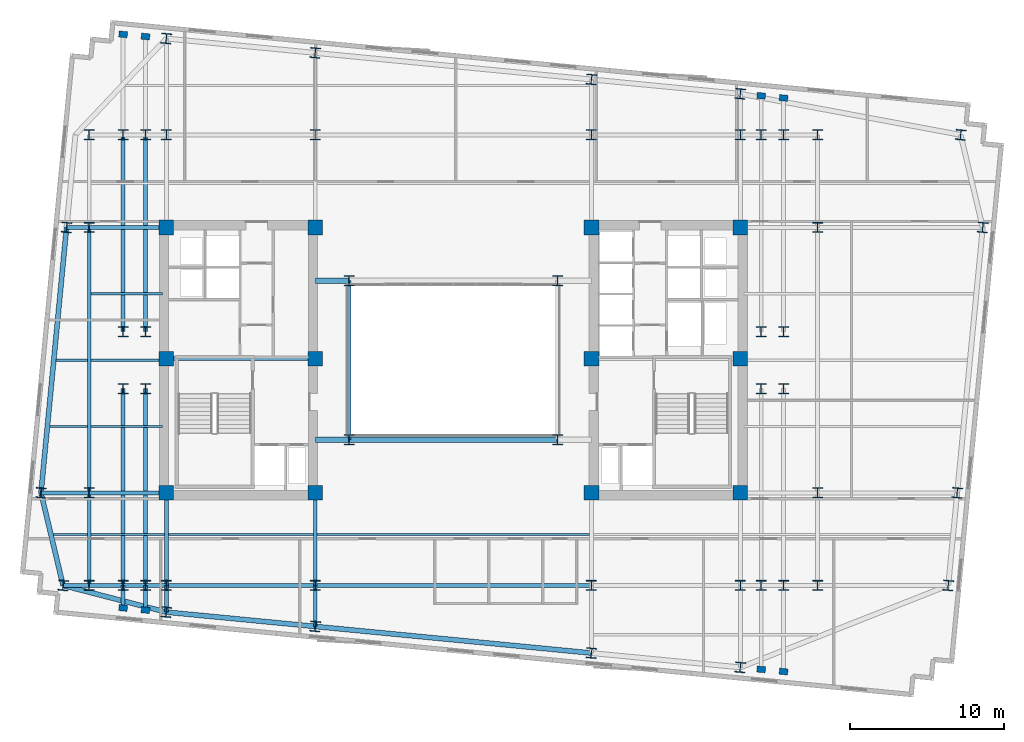
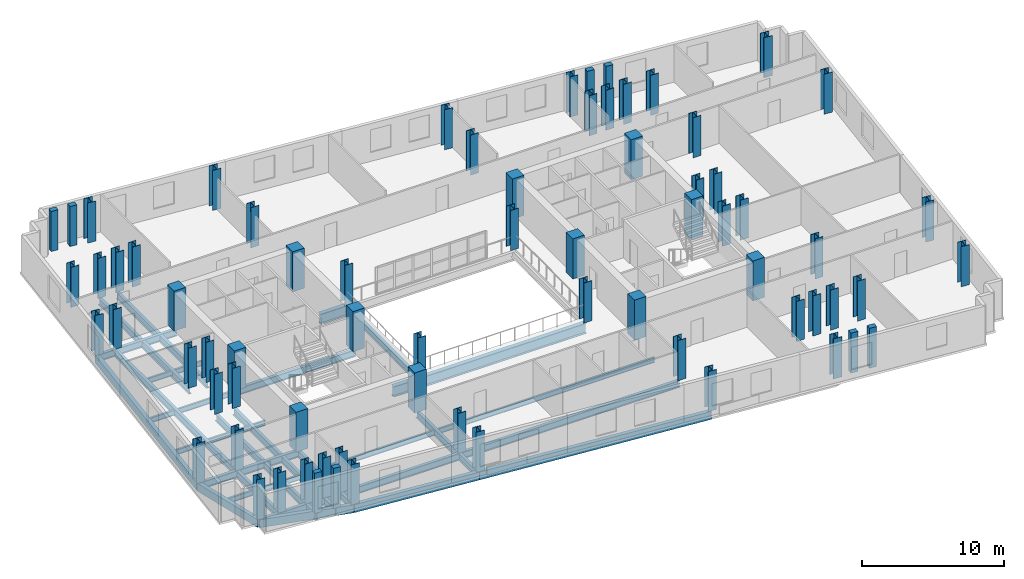
# One storey, part 1 of 10: 71 columns, 39 beams.
"""IFC4 building model written with IfcOpenShell, lengths in metres."""

from ifc_helpers import new_model, si_unit, direction, frame, origin, origin_2d, place, context, subcontext, project, spatial, rectangle, i_section, extrude, material, material_profile, profile_set, type_object, element, save


model = new_model("IFC4")

# Units and contexts
model_context = context("Model", 3, precision=1e-05, world=origin(), true_north=direction((0.0, 1.0)))
body_context = subcontext(model_context, "Body", "Model", "MODEL_VIEW")
ifc_project = project(units=[si_unit("LENGTHUNIT", "METRE"), si_unit("AREAUNIT", "SQUARE_METRE"), si_unit("VOLUMEUNIT", "CUBIC_METRE"), si_unit("PLANEANGLEUNIT", "RADIAN"), si_unit("MASSUNIT", "GRAM", prefix="KILO")], contexts=[model_context])

# Site, building, storey
site_placement = place(None, origin())
site = spatial("IfcSite", under=ifc_project, at=site_placement, CompositionType="ELEMENT")
building_placement = place(site_placement, origin())
building = spatial("IfcBuilding", under=site, at=building_placement, Name="Velakula Bourse", CompositionType="ELEMENT")
storey_placement = place(building_placement, frame((0.0, 0.0, 188.0)))
storey = spatial("IfcBuildingStorey", under=building, at=storey_placement, Name="L51", CompositionType="ELEMENT", Elevation=188.0)

# Columns
ifc_material_1 = material(Name="Concrete M70 (fck 70 MPa)", Category="concrete")
ifc_material_profile_1 = material_profile(ifc_material_1, rectangle(XDim=0.949951171875, YDim=0.949951171875, at=origin_2d()), Name="Concrete M70 (fck 70 MPa)")
ifc_profile_set_1 = profile_set([ifc_material_profile_1], Name="Concrete M70 (fck 70 MPa)")
column_type_1 = type_object("IfcColumnType", Name="COL-RC-950", PredefinedType="COLUMN", material=ifc_profile_set_1)
for number, where, z_axis, x_axis, name in (
    (1, (-8.949951171875, -8.60009765625, 0.0), (0.0, 0.0, 1.0), (1.0, 0.0, 0.0), "L51 Core Boundary Column 01"),
    (2, (-8.949951171875, 0.10009765625, 0.0), (0.0, 0.0, 1.0), (1.0, 0.0, 0.0), "L51 Core Boundary Column 02"),
    (3, (-8.949951171875, 8.60009765625, 0.0), (0.0, 0.0, 1.0), (1.0, 0.0, 0.0), "L51 Core Boundary Column 03"),
    (4, (-18.60009765625, -8.60009765625, 0.0), (0.0, 0.0, 1.0), (1.0, 0.0, 0.0), "L51 Core Boundary Column 04"),
    (5, (-18.60009765625, 0.10009765625, 0.0), (0.0, 0.0, 1.0), (1.0, 0.0, 0.0), "L51 Core Boundary Column 05"),
    (6, (-18.60009765625, 8.60009765625, 0.0), (0.0, 0.0, 1.0), (1.0, 0.0, 0.0), "L51 Core Boundary Column 06"),
    (7, (8.949951171875, -8.60009765625, 0.0), (0.0, 0.0, 1.0), (1.0, 0.0, 0.0), "L51 Core Boundary Column 07"),
    (8, (8.949951171875, 0.10009765625, 0.0), (0.0, 0.0, 1.0), (1.0, 0.0, 0.0), "L51 Core Boundary Column 08"),
    (9, (8.949951171875, 8.60009765625, 0.0), (0.0, 0.0, 1.0), (1.0, 0.0, 0.0), "L51 Core Boundary Column 09"),
    (10, (18.60009765625, -8.60009765625, 0.0), (0.0, 0.0, 1.0), (1.0, 0.0, 0.0), "L51 Core Boundary Column 10"),
    (11, (18.60009765625, 0.10009765625, 0.0), (0.0, 0.0, 1.0), (1.0, 0.0, 0.0), "L51 Core Boundary Column 11"),
    (12, (18.60009765625, 8.60009765625, 0.0), (0.0, 0.0, 1.0), (1.0, 0.0, 0.0), "L51 Core Boundary Column 12"),
):
    element("IfcColumn", number, at=place(storey_placement, frame(where, z_axis=z_axis, x_axis=x_axis)), inside=storey, type_object=column_type_1, Name=name, PredefinedType="COLUMN", context=body_context, shape_type="SweptSolid", body=[
        extrude(rectangle(XDim=0.949951171875, YDim=0.949951171875, at=origin_2d()), origin(), (0.0, 0.0, 1.0), 3.449951171875),
    ])
ifc_material_2 = material(Name="Steel IS 2062 Grade 350 (E350)", Category="steel")
ifc_material_profile_2 = material_profile(ifc_material_2, i_section(OverallWidth=0.64990234375, OverallDepth=0.64990234375, WebThickness=0.028076171875, FlangeThickness=0.0400390625, at=origin_2d()), Name="Steel IS 2062 Grade 350 (E350)")
ifc_profile_set_2 = profile_set([ifc_material_profile_2], Name="Steel IS 2062 Grade 350 (E350)")
column_type_2 = type_object("IfcColumnType", Name="COL-STL-650", PredefinedType="COLUMN", material=ifc_profile_set_2)
for number, where, z_axis, x_axis, name in (
    (13, (-6.75, -5.14990234375, 0.0), (0.0, 0.0, 1.0), (1.0, 0.0, 0.0), "L51 Central Spine Column 01"),
    (14, (-6.75, 5.14990234375, 0.0), (0.0, 0.0, 1.0), (1.0, 0.0, 0.0), "L51 Central Spine Column 02"),
    (15, (6.75, -5.14990234375, 0.0), (0.0, 0.0, 1.0), (1.0, 0.0, 0.0), "L51 Central Spine Column 03"),
    (16, (6.75, 5.14990234375, 0.0), (0.0, 0.0, 1.0), (1.0, 0.0, 0.0), "L51 Central Spine Column 04"),
    (17, (-21.39990234375, -14.60009765625, 0.0), (0.0, 0.0, 1.0), (1.0, 0.0, 0.0), "L51 Tower Fulcrum Column 01"),
    (18, (-21.39990234375, 14.60009765625, 0.0), (0.0, 0.0, 1.0), (1.0, 0.0, 0.0), "L51 Tower Fulcrum Column 02"),
    (19, (-19.949951171875, -14.60009765625, 0.0), (0.0, 0.0, 1.0), (1.0, 0.0, 0.0), "L51 Tower Fulcrum Column 03"),
    (20, (-19.949951171875, 14.60009765625, 0.0), (0.0, 0.0, 1.0), (1.0, 0.0, 0.0), "L51 Tower Fulcrum Column 04"),
    (21, (-18.60009765625, -14.60009765625, 0.0), (0.0, 0.0, 1.0), (1.0, 0.0, 0.0), "L51 Tower Fulcrum Column 05"),
    (22, (-18.60009765625, 14.60009765625, 0.0), (0.0, 0.0, 1.0), (1.0, 0.0, 0.0), "L51 Tower Fulcrum Column 06"),
    (23, (-8.949951171875, -14.60009765625, 0.0), (0.0, 0.0, 1.0), (1.0, 0.0, 0.0), "L51 Tower Fulcrum Column 07"),
    (24, (-8.949951171875, 14.60009765625, 0.0), (0.0, 0.0, 1.0), (1.0, 0.0, 0.0), "L51 Tower Fulcrum Column 08"),
    (25, (8.949951171875, -14.60009765625, 0.0), (0.0, 0.0, 1.0), (1.0, 0.0, 0.0), "L51 Tower Fulcrum Column 09"),
    (26, (8.949951171875, 14.60009765625, 0.0), (0.0, 0.0, 1.0), (1.0, 0.0, 0.0), "L51 Tower Fulcrum Column 10"),
    (27, (18.60009765625, -14.60009765625, 0.0), (0.0, 0.0, 1.0), (1.0, 0.0, 0.0), "L51 Tower Fulcrum Column 11"),
    (28, (18.60009765625, 14.60009765625, 0.0), (0.0, 0.0, 1.0), (1.0, 0.0, 0.0), "L51 Tower Fulcrum Column 12"),
    (29, (19.949951171875, -14.60009765625, 0.0), (0.0, 0.0, 1.0), (1.0, 0.0, 0.0), "L51 Tower Fulcrum Column 13"),
    (30, (19.949951171875, 14.60009765625, 0.0), (0.0, 0.0, 1.0), (1.0, 0.0, 0.0), "L51 Tower Fulcrum Column 14"),
    (31, (21.39990234375, -14.60009765625, 0.0), (0.0, 0.0, 1.0), (1.0, 0.0, 0.0), "L51 Tower Fulcrum Column 15"),
    (32, (21.39990234375, 14.60009765625, 0.0), (0.0, 0.0, 1.0), (1.0, 0.0, 0.0), "L51 Tower Fulcrum Column 16"),
    (33, (-21.39990234375, -1.85009765625, 0.0), (0.0, 0.0, 1.0), (1.0, 0.0, 0.0), "L51 Tower Fulcrum Column 17"),
    (34, (-21.39990234375, 1.85009765625, 0.0), (0.0, 0.0, 1.0), (1.0, 0.0, 0.0), "L51 Tower Fulcrum Column 18"),
    (35, (-19.949951171875, -1.85009765625, 0.0), (0.0, 0.0, 1.0), (1.0, 0.0, 0.0), "L51 Tower Fulcrum Column 19"),
    (36, (-19.949951171875, 1.85009765625, 0.0), (0.0, 0.0, 1.0), (1.0, 0.0, 0.0), "L51 Tower Fulcrum Column 20"),
    (37, (19.949951171875, -1.85009765625, 0.0), (0.0, 0.0, 1.0), (1.0, 0.0, 0.0), "L51 Tower Fulcrum Column 21"),
    (38, (19.949951171875, 1.85009765625, 0.0), (0.0, 0.0, 1.0), (1.0, 0.0, 0.0), "L51 Tower Fulcrum Column 22"),
    (39, (21.39990234375, -1.85009765625, 0.0), (0.0, 0.0, 1.0), (1.0, 0.0, 0.0), "L51 Tower Fulcrum Column 23"),
    (40, (21.39990234375, 1.85009765625, 0.0), (0.0, 0.0, 1.0), (1.0, 0.0, 0.0), "L51 Tower Fulcrum Column 24"),
    (41, (-23.60009765625, -14.60009765625, 0.0), (0.0, 0.0, 1.0), (1.0, 0.0, 0.0), "L51 Mid-Wing Plumb Column 01"),
    (42, (-23.60009765625, -8.60009765625, 0.0), (0.0, 0.0, 1.0), (1.0, 0.0, 0.0), "L51 Mid-Wing Plumb Column 02"),
    (43, (-23.60009765625, 8.60009765625, 0.0), (0.0, 0.0, 1.0), (1.0, 0.0, 0.0), "L51 Mid-Wing Plumb Column 03"),
    (44, (-23.60009765625, 14.60009765625, 0.0), (0.0, 0.0, 1.0), (1.0, 0.0, 0.0), "L51 Mid-Wing Plumb Column 04"),
    (45, (23.60009765625, -14.60009765625, 0.0), (0.0, 0.0, 1.0), (1.0, 0.0, 0.0), "L51 Mid-Wing Plumb Column 05"),
    (46, (23.60009765625, -8.60009765625, 0.0), (0.0, 0.0, 1.0), (1.0, 0.0, 0.0), "L51 Mid-Wing Plumb Column 06"),
    (47, (23.60009765625, 8.60009765625, 0.0), (0.0, 0.0, 1.0), (1.0, 0.0, 0.0), "L51 Mid-Wing Plumb Column 07"),
    (48, (23.60009765625, 14.60009765625, 0.0), (0.0, 0.0, 1.0), (1.0, 0.0, 0.0), "L51 Mid-Wing Plumb Column 08"),
    (49, (-18.60009765625, -16.32861328125, 0.0), (0.0, 0.0, 1.0), (0.995396198367, -0.09584575252, 0.0), "L51 Block B4 Perimeter Column S1"),
    (50, (-8.949951171875, -17.2578125, 0.0), (0.0, 0.0, 1.0), (0.995396198367, -0.09584575252, 0.0), "L51 Block B4 Perimeter Column S2"),
    (51, (8.949951171875, -18.9814453125, 0.0), (0.0, 0.0, 1.0), (0.995396198367, -0.09584575252, 0.0), "L51 Block B4 Perimeter Column S3"),
    (52, (18.60009765625, -19.91064453125, 0.0), (0.0, 0.0, 1.0), (0.995396198367, -0.09584575252, 0.0), "L51 Block B4 Perimeter Column S4"),
    (53, (-18.60009765625, 20.84228515625, 0.0), (0.0, 0.0, 1.0), (0.995396198367, -0.09584575252, 0.0), "L51 Block B4 Perimeter Column N1"),
    (54, (-8.949951171875, 19.9130859375, 0.0), (0.0, 0.0, 1.0), (0.995396198367, -0.09584575252, 0.0), "L51 Block B4 Perimeter Column N2"),
    (55, (8.949951171875, 18.189697265625, 0.0), (0.0, 0.0, 1.0), (0.995396198367, -0.09584575252, 0.0), "L51 Block B4 Perimeter Column N3"),
    (56, (18.60009765625, 17.260498046875, 0.0), (0.0, 0.0, 1.0), (0.995396198367, -0.09584575252, 0.0), "L51 Block B4 Perimeter Column N4"),
    (57, (-25.29296875, -14.60009765625, 0.0), (0.0, 0.0, 1.0), (0.995396198367, -0.09584575252, 0.0), "L51 Block B4 Perimeter Column W1"),
    (58, (-26.724365234375, -8.60009765625, 0.0), (0.0, 0.0, 1.0), (0.995396198367, -0.09584575252, 0.0), "L51 Block B4 Perimeter Column W2"),
    (59, (-25.068115234375, 8.60009765625, 0.0), (0.0, 0.0, 1.0), (0.995396198367, -0.09584575252, 0.0), "L51 Block B4 Perimeter Column W3"),
    (60, (32.0712890625, -14.60009765625, 0.0), (0.0, 0.0, 1.0), (0.995396198367, -0.09584575252, 0.0), "L51 Block B4 Perimeter Column E1"),
    (61, (32.64892578125, -8.60009765625, 0.0), (0.0, 0.0, 1.0), (0.995396198367, -0.09584575252, 0.0), "L51 Block B4 Perimeter Column E2"),
    (62, (34.30517578125, 8.60009765625, 0.0), (0.0, 0.0, 1.0), (0.995396198367, -0.09584575252, 0.0), "L51 Block B4 Perimeter Column E3"),
    (63, (32.87353515625, 14.60009765625, 0.0), (0.0, 0.0, 1.0), (0.995396198367, -0.09584575252, 0.0), "L51 Block B4 Perimeter Column E4"),
):
    element("IfcColumn", number, at=place(storey_placement, frame(where, z_axis=z_axis, x_axis=x_axis)), inside=storey, type_object=column_type_2, Name=name, PredefinedType="COLUMN", context=body_context, shape_type="SweptSolid", body=[
        extrude(i_section(OverallWidth=0.64990234375, OverallDepth=0.64990234375, WebThickness=0.028076171875, FlangeThickness=0.0400390625, at=origin_2d()), origin(), (0.0, 0.0, 1.0), 3.449951171875),
    ])
ifc_material_3 = material(Name="Precast concrete M45 (fck 45 MPa)", Category="concrete")
ifc_material_profile_3 = material_profile(ifc_material_3, rectangle(XDim=0.550048828125, YDim=0.39990234375, at=origin_2d()), Name="Precast concrete M45 (fck 45 MPa)")
ifc_profile_set_3 = profile_set([ifc_material_profile_3], Name="Precast concrete M45 (fck 45 MPa)")
column_type_3 = type_object("IfcColumnType", Name="PIL-BRICK-550", PredefinedType="PILASTER", material=ifc_profile_set_3)
for number, where, z_axis, x_axis, name in (
    (64, (-21.39990234375, -16.05908203125, 0.0), (0.0, 0.0, 1.0), (0.995396198367, -0.09584575252, 0.0), "L51 Brick Pier Pilaster 01"),
    (65, (-19.949951171875, -16.19873046875, 0.0), (0.0, 0.0, 1.0), (0.995396198367, -0.09584575252, 0.0), "L51 Brick Pier Pilaster 02"),
    (66, (19.949951171875, -20.04052734375, 0.0), (0.0, 0.0, 1.0), (0.995396198367, -0.09584575252, 0.0), "L51 Brick Pier Pilaster 03"),
    (67, (21.39990234375, -20.180419921875, 0.0), (0.0, 0.0, 1.0), (0.995396198367, -0.09584575252, 0.0), "L51 Brick Pier Pilaster 04"),
    (68, (-21.39990234375, 21.112060546875, 0.0), (0.0, 0.0, 1.0), (0.995396198367, -0.09584575252, 0.0), "L51 Brick Pier Pilaster 05"),
    (69, (-19.949951171875, 20.972412109375, 0.0), (0.0, 0.0, 1.0), (0.995396198367, -0.09584575252, 0.0), "L51 Brick Pier Pilaster 06"),
    (70, (19.949951171875, 17.130615234375, 0.0), (0.0, 0.0, 1.0), (0.995396198367, -0.09584575252, 0.0), "L51 Brick Pier Pilaster 07"),
    (71, (21.39990234375, 16.990966796875, 0.0), (0.0, 0.0, 1.0), (0.995396198367, -0.09584575252, 0.0), "L51 Brick Pier Pilaster 08"),
):
    element("IfcColumn", number, at=place(storey_placement, frame(where, z_axis=z_axis, x_axis=x_axis)), inside=storey, type_object=column_type_3, Name=name, PredefinedType="PILASTER", context=body_context, shape_type="SweptSolid", body=[
        extrude(rectangle(XDim=0.550048828125, YDim=0.39990234375, at=origin_2d()), origin(), (0.0, 0.0, 1.0), 3.449951171875),
    ])

# Beams
ifc_material_profile_4 = material_profile(ifc_material_2, i_section(OverallWidth=0.25, OverallDepth=0.60009765625, WebThickness=0.01123046875, FlangeThickness=0.021240234375, at=origin_2d()), Name="Steel IS 2062 Grade 350 (E350)")
ifc_profile_set_4 = profile_set([ifc_material_profile_4], Name="Steel IS 2062 Grade 350 (E350)")
beam_type_1 = type_object("IfcBeamType", Name="BM-GRD-600M", PredefinedType="BEAM", material=ifc_profile_set_4)
beam_1_placement = place(storey_placement, frame((-18.60009765625, 0.10009765625, -0.47998046875), z_axis=(1.0, 0.0, 0.0), x_axis=(0.0, 1.0, 0.0)))
element("IfcBeam", 72, at=beam_1_placement, inside=storey, type_object=beam_type_1, Name="L51 Primary Backbone Girder CRW-M", PredefinedType="BEAM", context=body_context, shape_type="SweptSolid", body=[
    extrude(i_section(OverallWidth=0.25, OverallDepth=0.60009765625, WebThickness=0.01123046875, FlangeThickness=0.021240234375, at=origin_2d()), origin(), (0.0, 0.0, 1.0), 9.650146484375),
])
beam_2_placement = place(storey_placement, frame((-6.75, -5.14990234375, -0.47998046875), z_axis=(0.0, 1.0, 0.0), x_axis=(-1.0, 0.0, 0.0)))
element("IfcBeam", 73, at=beam_2_placement, inside=storey, type_object=beam_type_1, Name="L51 Primary Backbone Girder SPN-W", PredefinedType="BEAM", context=body_context, shape_type="SweptSolid", body=[
    extrude(i_section(OverallWidth=0.25, OverallDepth=0.60009765625, WebThickness=0.01123046875, FlangeThickness=0.021240234375, at=origin_2d()), origin(), (0.0, 0.0, 1.0), 10.2998046875),
])
for number, where, z_axis, x_axis, name in (
    (74, (-18.60009765625, -14.60009765625, -0.47998046875), (0.0, 1.0, 0.0), (-1.0, 0.0, 0.0), "L51 Fulcrum Grid Girder FLC-WS"),
    (75, (-8.949951171875, -14.60009765625, -0.47998046875), (0.0, 1.0, 0.0), (-1.0, 0.0, 0.0), "L51 Fulcrum Grid Girder FLC-WCS"),
):
    element("IfcBeam", number, at=place(storey_placement, frame(where, z_axis=z_axis, x_axis=x_axis)), inside=storey, type_object=beam_type_1, Name=name, PredefinedType="BEAM", context=body_context, shape_type="SweptSolid", body=[
        extrude(i_section(OverallWidth=0.25, OverallDepth=0.60009765625, WebThickness=0.01123046875, FlangeThickness=0.021240234375, at=origin_2d()), origin(), (0.0, 0.0, 1.0), 6.0),
    ])
beam_3_placement = place(storey_placement, frame((-18.60009765625, -14.60009765625, -0.47998046875), z_axis=(1.0, 0.0, 0.0), x_axis=(0.0, 1.0, 0.0)))
element("IfcBeam", 76, at=beam_3_placement, inside=storey, type_object=beam_type_1, Name="L51 Fulcrum Grid Girder FLC-S1", PredefinedType="BEAM", context=body_context, shape_type="SweptSolid", body=[
    extrude(i_section(OverallWidth=0.25, OverallDepth=0.60009765625, WebThickness=0.01123046875, FlangeThickness=0.021240234375, at=origin_2d()), origin(), (0.0, 0.0, 1.0), 9.650146484375),
])
beam_4_placement = place(storey_placement, frame((-8.949951171875, -14.60009765625, -0.47998046875), z_axis=(1.0, 0.0, 0.0), x_axis=(0.0, 1.0, 0.0)))
element("IfcBeam", 77, at=beam_4_placement, inside=storey, type_object=beam_type_1, Name="L51 Fulcrum Grid Girder FLC-S2", PredefinedType="BEAM", context=body_context, shape_type="SweptSolid", body=[
    extrude(i_section(OverallWidth=0.25, OverallDepth=0.60009765625, WebThickness=0.01123046875, FlangeThickness=0.021240234375, at=origin_2d()), origin(), (0.0, 0.0, 1.0), 17.89990234375),
])
for number, where, z_axis, x_axis, name in (
    (78, (-21.39990234375, -14.60009765625, -0.47998046875), (0.0, 1.0, 0.0), (-1.0, 0.0, 0.0), "L51 Fulcrum Grid Girder FLC-PSW1"),
    (79, (-21.39990234375, 1.85009765625, -0.47998046875), (0.0, 1.0, 0.0), (-1.0, 0.0, 0.0), "L51 Fulcrum Grid Girder FLC-PNW1"),
    (80, (-19.949951171875, -14.60009765625, -0.47998046875), (0.0, 1.0, 0.0), (-1.0, 0.0, 0.0), "L51 Fulcrum Grid Girder FLC-PSW2"),
    (81, (-19.949951171875, 1.85009765625, -0.47998046875), (0.0, 1.0, 0.0), (-1.0, 0.0, 0.0), "L51 Fulcrum Grid Girder FLC-PNW2"),
):
    element("IfcBeam", number, at=place(storey_placement, frame(where, z_axis=z_axis, x_axis=x_axis)), inside=storey, type_object=beam_type_1, Name=name, PredefinedType="BEAM", context=body_context, shape_type="SweptSolid", body=[
        extrude(i_section(OverallWidth=0.25, OverallDepth=0.60009765625, WebThickness=0.01123046875, FlangeThickness=0.021240234375, at=origin_2d()), origin(), (0.0, 0.0, 1.0), 12.75),
    ])
for number, where, z_axis, x_axis, name in (
    (82, (-23.60009765625, -14.60009765625, -0.47998046875), (1.0, 0.0, 0.0), (0.0, 1.0, 0.0), "L51 Fulcrum Grid Girder MWG-WS1"),
    (83, (-23.60009765625, -8.60009765625, -0.47998046875), (1.0, 0.0, 0.0), (0.0, 1.0, 0.0), "L51 Fulcrum Grid Girder MWG-WS2"),
    (84, (-23.60009765625, 8.60009765625, -0.47998046875), (1.0, 0.0, 0.0), (0.0, 1.0, 0.0), "L51 Fulcrum Grid Girder MWG-WN1"),
):
    element("IfcBeam", number, at=place(storey_placement, frame(where, z_axis=z_axis, x_axis=x_axis)), inside=storey, type_object=beam_type_1, Name=name, PredefinedType="BEAM", context=body_context, shape_type="SweptSolid", body=[
        extrude(i_section(OverallWidth=0.25, OverallDepth=0.60009765625, WebThickness=0.01123046875, FlangeThickness=0.021240234375, at=origin_2d()), origin(), (0.0, 0.0, 1.0), 5.0),
    ])
beam_5_placement = place(storey_placement, frame((-23.60009765625, -14.60009765625, -0.47998046875), z_axis=(0.0, 1.0, 0.0), x_axis=(-1.0, 0.0, 0.0)))
element("IfcBeam", 85, at=beam_5_placement, inside=storey, type_object=beam_type_1, Name="L51 Fulcrum Grid Girder MWG-WNS1", PredefinedType="BEAM", context=body_context, shape_type="SweptSolid", body=[
    extrude(i_section(OverallWidth=0.25, OverallDepth=0.60009765625, WebThickness=0.01123046875, FlangeThickness=0.021240234375, at=origin_2d()), origin(), (0.0, 0.0, 1.0), 6.0),
])
beam_6_placement = place(storey_placement, frame((-23.60009765625, -8.60009765625, -0.47998046875), z_axis=(0.0, 1.0, 0.0), x_axis=(-1.0, 0.0, 0.0)))
element("IfcBeam", 86, at=beam_6_placement, inside=storey, type_object=beam_type_1, Name="L51 Fulcrum Grid Girder MWG-WNS2", PredefinedType="BEAM", context=body_context, shape_type="SweptSolid", body=[
    extrude(i_section(OverallWidth=0.25, OverallDepth=0.60009765625, WebThickness=0.01123046875, FlangeThickness=0.021240234375, at=origin_2d()), origin(), (0.0, 0.0, 1.0), 17.2001953125),
])
beam_7_placement = place(storey_placement, frame((-18.60009765625, -14.60009765625, -0.47998046875), z_axis=(0.0, -1.0, 0.0), x_axis=(1.0, 0.0, 0.0)))
element("IfcBeam", 87, at=beam_7_placement, inside=storey, type_object=beam_type_1, Name="L51 Perimeter Tie Girder S1", PredefinedType="BEAM", context=body_context, shape_type="SweptSolid", body=[
    extrude(i_section(OverallWidth=0.25, OverallDepth=0.60009765625, WebThickness=0.01123046875, FlangeThickness=0.021240234375, at=origin_2d()), origin(), (0.0, 0.0, 1.0), 1.728515625),
])
beam_8_placement = place(storey_placement, frame((-8.949951171875, -14.60009765625, -0.47998046875), z_axis=(0.0, -1.0, 0.0), x_axis=(1.0, 0.0, 0.0)))
element("IfcBeam", 88, at=beam_8_placement, inside=storey, type_object=beam_type_1, Name="L51 Perimeter Tie Girder S2", PredefinedType="BEAM", context=body_context, shape_type="SweptSolid", body=[
    extrude(i_section(OverallWidth=0.25, OverallDepth=0.60009765625, WebThickness=0.01123046875, FlangeThickness=0.021240234375, at=origin_2d()), origin(), (0.0, 0.0, 1.0), 2.65771484375),
])
beam_9_placement = place(storey_placement, frame((-23.60009765625, -14.60009765625, -0.47998046875), z_axis=(-1.0, 0.0, 0.0), x_axis=(0.0, -1.0, 0.0)))
element("IfcBeam", 89, at=beam_9_placement, inside=storey, type_object=beam_type_1, Name="L51 Perimeter Tie Girder W1", PredefinedType="BEAM", context=body_context, shape_type="SweptSolid", body=[
    extrude(i_section(OverallWidth=0.25, OverallDepth=0.60009765625, WebThickness=0.01123046875, FlangeThickness=0.021240234375, at=origin_2d()), origin(), (0.0, 0.0, 1.0), 1.69287109375),
])
beam_10_placement = place(storey_placement, frame((-23.60009765625, -8.60009765625, -0.47998046875), z_axis=(-1.0, 0.0, 0.0), x_axis=(0.0, -1.0, 0.0)))
element("IfcBeam", 90, at=beam_10_placement, inside=storey, type_object=beam_type_1, Name="L51 Perimeter Tie Girder W2", PredefinedType="BEAM", context=body_context, shape_type="SweptSolid", body=[
    extrude(i_section(OverallWidth=0.25, OverallDepth=0.60009765625, WebThickness=0.01123046875, FlangeThickness=0.021240234375, at=origin_2d()), origin(), (0.0, 0.0, 1.0), 3.124267578125),
])
beam_11_placement = place(storey_placement, frame((-23.60009765625, 8.60009765625, -0.47998046875), z_axis=(-1.0, 0.0, 0.0), x_axis=(0.0, -1.0, 0.0)))
element("IfcBeam", 91, at=beam_11_placement, inside=storey, type_object=beam_type_1, Name="L51 Perimeter Tie Girder W3", PredefinedType="BEAM", context=body_context, shape_type="SweptSolid", body=[
    extrude(i_section(OverallWidth=0.25, OverallDepth=0.60009765625, WebThickness=0.01123046875, FlangeThickness=0.021240234375, at=origin_2d()), origin(), (0.0, 0.0, 1.0), 1.468017578125),
])
beam_12_placement = place(storey_placement, frame((-21.39990234375, -14.60009765625, -0.47998046875), z_axis=(0.0, -1.0, 0.0), x_axis=(1.0, 0.0, 0.0)))
element("IfcBeam", 92, at=beam_12_placement, inside=storey, type_object=beam_type_1, Name="L51 Perimeter Tie Girder P01", PredefinedType="BEAM", context=body_context, shape_type="SweptSolid", body=[
    extrude(i_section(OverallWidth=0.25, OverallDepth=0.60009765625, WebThickness=0.01123046875, FlangeThickness=0.021240234375, at=origin_2d()), origin(), (0.0, 0.0, 1.0), 1.458984375),
])
beam_13_placement = place(storey_placement, frame((-19.949951171875, -14.60009765625, -0.47998046875), z_axis=(0.0, -1.0, 0.0), x_axis=(1.0, 0.0, 0.0)))
element("IfcBeam", 93, at=beam_13_placement, inside=storey, type_object=beam_type_1, Name="L51 Perimeter Tie Girder P02", PredefinedType="BEAM", context=body_context, shape_type="SweptSolid", body=[
    extrude(i_section(OverallWidth=0.25, OverallDepth=0.60009765625, WebThickness=0.01123046875, FlangeThickness=0.021240234375, at=origin_2d()), origin(), (0.0, 0.0, 1.0), 1.5986328125),
])
ifc_material_profile_5 = material_profile(ifc_material_2, i_section(OverallWidth=0.35009765625, OverallDepth=0.89990234375, WebThickness=0.02001953125, FlangeThickness=0.031982421875, at=origin_2d()), Name="Steel IS 2062 Grade 350 (E350)")
ifc_profile_set_5 = profile_set([ifc_material_profile_5], Name="Steel IS 2062 Grade 350 (E350)")
beam_type_2 = type_object("IfcBeamType", Name="BM-LNK-900", PredefinedType="BEAM", material=ifc_profile_set_5)
beam_14_placement = place(storey_placement, frame((-8.949951171875, -5.14990234375, -0.6298828125), z_axis=(1.0, 0.0, 0.0), x_axis=(0.0, 1.0, 0.0)))
element("IfcBeam", 94, at=beam_14_placement, inside=storey, type_object=beam_type_2, Name="L51 Primary Backbone Girder LNK-S1", PredefinedType="BEAM", context=body_context, shape_type="SweptSolid", body=[
    extrude(i_section(OverallWidth=0.35009765625, OverallDepth=0.89990234375, WebThickness=0.02001953125, FlangeThickness=0.031982421875, at=origin_2d()), origin(), (0.0, 0.0, 1.0), 2.199951171875),
])
beam_15_placement = place(storey_placement, frame((-6.75, -5.14990234375, -0.6298828125), z_axis=(1.0, 0.0, 0.0), x_axis=(0.0, 1.0, 0.0)))
element("IfcBeam", 95, at=beam_15_placement, inside=storey, type_object=beam_type_2, Name="L51 Primary Backbone Girder LNK-S2", PredefinedType="BEAM", context=body_context, shape_type="SweptSolid", body=[
    extrude(i_section(OverallWidth=0.35009765625, OverallDepth=0.89990234375, WebThickness=0.02001953125, FlangeThickness=0.031982421875, at=origin_2d()), origin(), (0.0, 0.0, 1.0), 13.5),
])
beam_16_placement = place(storey_placement, frame((-8.949951171875, 5.14990234375, -0.6298828125), z_axis=(1.0, 0.0, 0.0), x_axis=(0.0, 1.0, 0.0)))
element("IfcBeam", 96, at=beam_16_placement, inside=storey, type_object=beam_type_2, Name="L51 Primary Backbone Girder LNK-N1", PredefinedType="BEAM", context=body_context, shape_type="SweptSolid", body=[
    extrude(i_section(OverallWidth=0.35009765625, OverallDepth=0.89990234375, WebThickness=0.02001953125, FlangeThickness=0.031982421875, at=origin_2d()), origin(), (0.0, 0.0, 1.0), 2.199951171875),
])
ifc_material_profile_6 = material_profile(ifc_material_2, i_section(OverallWidth=0.14990234375, OverallDepth=0.449951171875, WebThickness=0.009521484375, FlangeThickness=0.017333984375, at=origin_2d()), Name="Steel IS 2062 Grade 350 (E350)")
ifc_profile_set_6 = profile_set([ifc_material_profile_6], Name="Steel IS 2062 Grade 350 (E350)")
beam_type_3 = type_object("IfcBeamType", Name="JST-TWR-450", PredefinedType="JOIST", material=ifc_profile_set_6)
beam_17_placement = place(storey_placement, frame((-25.915771484375, -11.300048828125, -0.405029296875), z_axis=(1.0, 0.0, 0.0), x_axis=(0.0, 1.0, 0.0)))
element("IfcBeam", 97, at=beam_17_placement, inside=storey, type_object=beam_type_3, Name="L51 Trading Floor Composite Joist 04", PredefinedType="JOIST", context=body_context, shape_type="SweptSolid", body=[
    extrude(i_section(OverallWidth=0.14990234375, OverallDepth=0.449951171875, WebThickness=0.009521484375, FlangeThickness=0.017333984375, at=origin_2d()), origin(), (0.0, 0.0, 1.0), 2.190673828125),
])
beam_18_placement = place(storey_placement, frame((-23.47509765625, -11.300048828125, -0.405029296875), z_axis=(1.0, 0.0, 0.0), x_axis=(0.0, 1.0, 0.0)))
element("IfcBeam", 98, at=beam_18_placement, inside=storey, type_object=beam_type_3, Name="L51 Trading Floor Composite Joist 05", PredefinedType="JOIST", context=body_context, shape_type="SweptSolid", body=[
    extrude(i_section(OverallWidth=0.14990234375, OverallDepth=0.449951171875, WebThickness=0.009521484375, FlangeThickness=0.017333984375, at=origin_2d()), origin(), (0.0, 0.0, 1.0), 4.75),
])
beam_19_placement = place(storey_placement, frame((-18.47509765625, -11.300048828125, -0.405029296875), z_axis=(1.0, 0.0, 0.0), x_axis=(0.0, 1.0, 0.0)))
element("IfcBeam", 99, at=beam_19_placement, inside=storey, type_object=beam_type_3, Name="L51 Trading Floor Composite Joist 06", PredefinedType="JOIST", context=body_context, shape_type="SweptSolid", body=[
    extrude(i_section(OverallWidth=0.14990234375, OverallDepth=0.449951171875, WebThickness=0.009521484375, FlangeThickness=0.017333984375, at=origin_2d()), origin(), (0.0, 0.0, 1.0), 9.400146484375),
])
beam_20_placement = place(storey_placement, frame((-8.824951171875, -11.300048828125, -0.405029296875), z_axis=(1.0, 0.0, 0.0), x_axis=(0.0, 1.0, 0.0)))
element("IfcBeam", 100, at=beam_20_placement, inside=storey, type_object=beam_type_3, Name="L51 Trading Floor Composite Joist 07", PredefinedType="JOIST", context=body_context, shape_type="SweptSolid", body=[
    extrude(i_section(OverallWidth=0.14990234375, OverallDepth=0.449951171875, WebThickness=0.009521484375, FlangeThickness=0.017333984375, at=origin_2d()), origin(), (0.0, 0.0, 1.0), 17.64990234375),
])
beam_21_placement = place(storey_placement, frame((-26.149658203125, -4.300048828125, -0.405029296875), z_axis=(1.0, 0.0, 0.0), x_axis=(0.0, 1.0, 0.0)))
element("IfcBeam", 101, at=beam_21_placement, inside=storey, type_object=beam_type_3, Name="L51 Trading Floor Composite Joist 21", PredefinedType="JOIST", context=body_context, shape_type="SweptSolid", body=[
    extrude(i_section(OverallWidth=0.14990234375, OverallDepth=0.449951171875, WebThickness=0.009521484375, FlangeThickness=0.017333984375, at=origin_2d()), origin(), (0.0, 0.0, 1.0), 2.424560546875),
])
beam_22_placement = place(storey_placement, frame((-23.47509765625, -4.300048828125, -0.405029296875), z_axis=(1.0, 0.0, 0.0), x_axis=(0.0, 1.0, 0.0)))
element("IfcBeam", 102, at=beam_22_placement, inside=storey, type_object=beam_type_3, Name="L51 Trading Floor Composite Joist 22", PredefinedType="JOIST", context=body_context, shape_type="SweptSolid", body=[
    extrude(i_section(OverallWidth=0.14990234375, OverallDepth=0.449951171875, WebThickness=0.009521484375, FlangeThickness=0.017333984375, at=origin_2d()), origin(), (0.0, 0.0, 1.0), 4.625),
])
beam_23_placement = place(storey_placement, frame((-25.735595703125, 0.0, -0.405029296875), z_axis=(1.0, 0.0, 0.0), x_axis=(0.0, 1.0, 0.0)))
element("IfcBeam", 103, at=beam_23_placement, inside=storey, type_object=beam_type_3, Name="L51 Trading Floor Composite Joist 25", PredefinedType="JOIST", context=body_context, shape_type="SweptSolid", body=[
    extrude(i_section(OverallWidth=0.14990234375, OverallDepth=0.449951171875, WebThickness=0.009521484375, FlangeThickness=0.017333984375, at=origin_2d()), origin(), (0.0, 0.0, 1.0), 2.010498046875),
])
for number, where, z_axis, x_axis, name in (
    (104, (-23.47509765625, 0.0, -0.405029296875), (1.0, 0.0, 0.0), (0.0, 1.0, 0.0), "L51 Trading Floor Composite Joist 26"),
    (105, (-23.47509765625, 4.300048828125, -0.405029296875), (1.0, 0.0, 0.0), (0.0, 1.0, 0.0), "L51 Trading Floor Composite Joist 29"),
):
    element("IfcBeam", number, at=place(storey_placement, frame(where, z_axis=z_axis, x_axis=x_axis)), inside=storey, type_object=beam_type_3, Name=name, PredefinedType="JOIST", context=body_context, shape_type="SweptSolid", body=[
        extrude(i_section(OverallWidth=0.14990234375, OverallDepth=0.449951171875, WebThickness=0.009521484375, FlangeThickness=0.017333984375, at=origin_2d()), origin(), (0.0, 0.0, 1.0), 4.625),
    ])
ifc_material_profile_7 = material_profile(ifc_material_3, rectangle(XDim=0.320068359375, YDim=0.679931640625, at=origin_2d()), Name="Precast concrete M45 (fck 45 MPa)")
ifc_profile_set_7 = profile_set([ifc_material_profile_7], Name="Precast concrete M45 (fck 45 MPa)")
beam_type_4 = type_object("IfcBeamType", Name="SPN-BRICK-680", PredefinedType="SPANDREL", material=ifc_profile_set_7)
beam_24_placement = place(storey_placement, frame((-18.60009765625, -16.32861328125, -0.52001953125), z_axis=(0.99539623971, -0.095845323155, 0.0), x_axis=(0.095845323155, 0.99539623971, 0.0)))
element("IfcBeam", 106, at=beam_24_placement, inside=storey, type_object=beam_type_4, Name="L51 Brick-Faced Precast Spandrel S1-S2", PredefinedType="SPANDREL", context=body_context, shape_type="SweptSolid", body=[
    extrude(rectangle(XDim=0.320068359375, YDim=0.679931640625, at=origin_2d()), origin(), (0.0, 0.0, 1.0), 9.69482421875),
])
beam_25_placement = place(storey_placement, frame((-8.949951171875, -17.2578125, -0.52001953125), z_axis=(0.995395836254, -0.095849513134, 0.0), x_axis=(0.095849513134, 0.995395836254, 0.0)))
element("IfcBeam", 107, at=beam_25_placement, inside=storey, type_object=beam_type_4, Name="L51 Brick-Faced Precast Spandrel S2-S3", PredefinedType="SPANDREL", context=body_context, shape_type="SweptSolid", body=[
    extrude(rectangle(XDim=0.320068359375, YDim=0.679931640625, at=origin_2d()), origin(), (0.0, 0.0, 1.0), 17.982666015625),
])
beam_26_placement = place(storey_placement, frame((-25.29296875, -14.60009765625, -0.52001953125), z_axis=(-0.232053924044, 0.97270292296, 0.0), x_axis=(-0.97270292296, -0.232053924044, 0.0)))
element("IfcBeam", 108, at=beam_26_placement, inside=storey, type_object=beam_type_4, Name="L51 Brick-Faced Precast Spandrel W1-W2", PredefinedType="SPANDREL", context=body_context, shape_type="SweptSolid", body=[
    extrude(rectangle(XDim=0.320068359375, YDim=0.679931640625, at=origin_2d()), origin(), (0.0, 0.0, 1.0), 6.16845703125),
])
beam_27_placement = place(storey_placement, frame((-26.724365234375, -8.60009765625, -0.52001953125), z_axis=(0.095849167925, 0.995395869495, 0.0), x_axis=(-0.995395869495, 0.095849167925, 0.0)))
element("IfcBeam", 109, at=beam_27_placement, inside=storey, type_object=beam_type_4, Name="L51 Brick-Faced Precast Spandrel W2-W3", PredefinedType="SPANDREL", context=body_context, shape_type="SweptSolid", body=[
    extrude(rectangle(XDim=0.320068359375, YDim=0.679931640625, at=origin_2d()), origin(), (0.0, 0.0, 1.0), 17.27978515625),
])
beam_28_placement = place(storey_placement, frame((-25.29296875, -14.60009765625, -0.52001953125), z_axis=(0.968230996313, -0.250057468954, 0.0), x_axis=(0.250057468954, 0.968230996313, 0.0)))
element("IfcBeam", 110, at=beam_28_placement, inside=storey, type_object=beam_type_4, Name="L51 Brick-Faced Precast Spandrel W1-S1", PredefinedType="SPANDREL", context=body_context, shape_type="SweptSolid", body=[
    extrude(rectangle(XDim=0.320068359375, YDim=0.679931640625, at=origin_2d()), origin(), (0.0, 0.0, 1.0), 6.912353515625),
])

save(model, "model.ifc")
